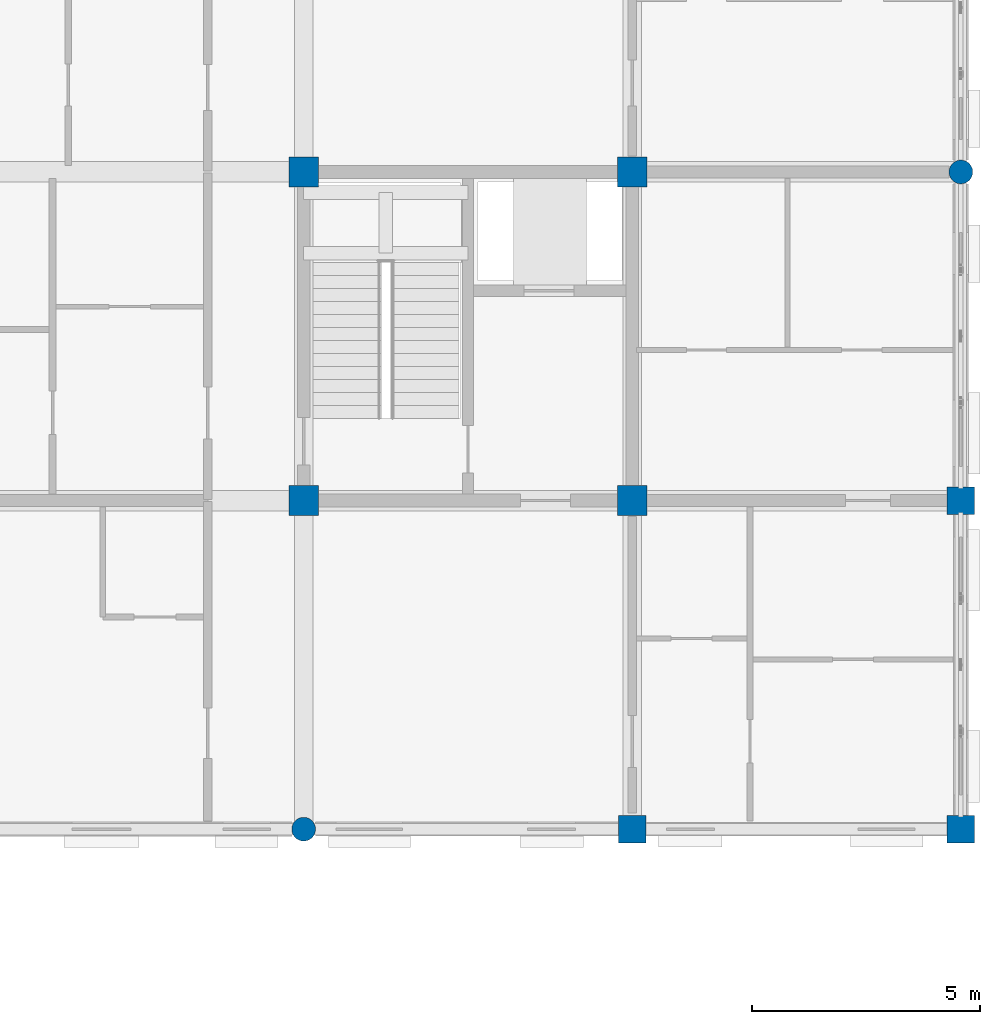
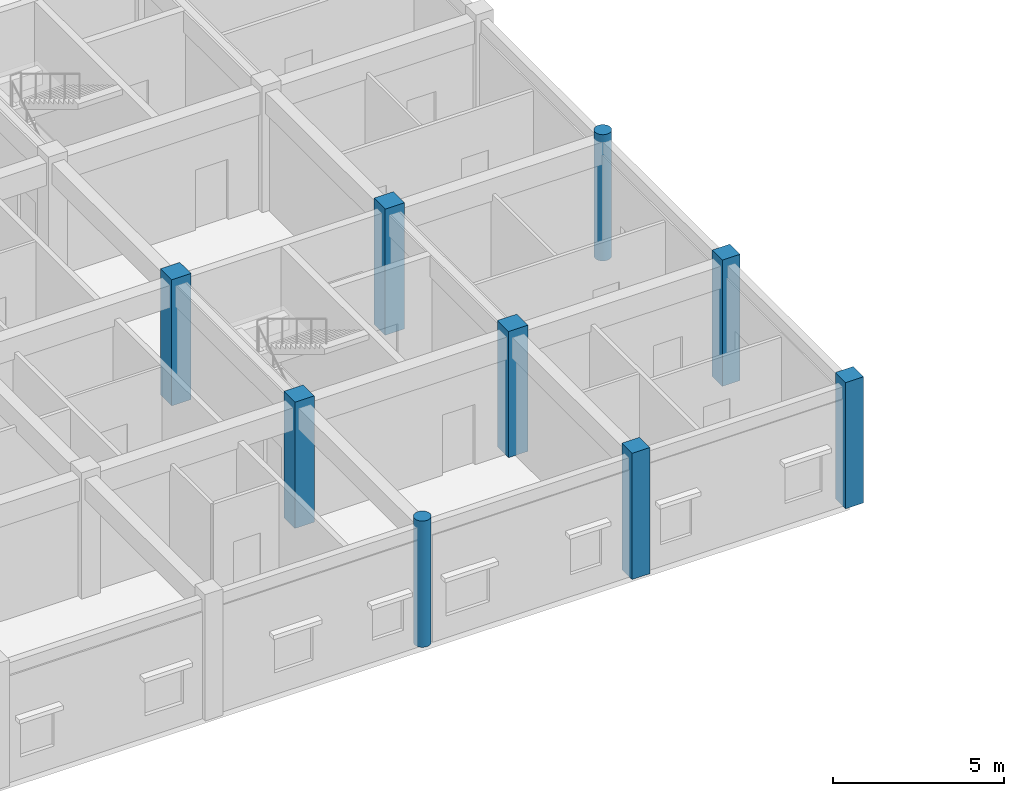
# One storey, part 11 of 138: 9 columns.
"""IFC4 building model written with IfcOpenShell, lengths in metres."""

from ifc_helpers import new_model, si_unit, direction, frame, origin, origin_2d, place, context, subcontext, project, spatial, rectangle, circle, extrude, material, material_profile, profile_set, type_object, element, save


model = new_model("IFC4")

# Units and contexts
model_context = context("Model", 3, precision=1e-05, world=origin(), true_north=direction((0.0, 1.0)))
body_context = subcontext(model_context, "Body", "Model", "MODEL_VIEW")
ifc_project = project(units=[si_unit("LENGTHUNIT", "METRE"), si_unit("AREAUNIT", "SQUARE_METRE"), si_unit("VOLUMEUNIT", "CUBIC_METRE"), si_unit("PLANEANGLEUNIT", "RADIAN"), si_unit("MASSUNIT", "GRAM", prefix="KILO"), si_unit("THERMODYNAMICTEMPERATUREUNIT", "KELVIN"), si_unit("POWERUNIT", "WATT")], contexts=[model_context])

# Site, building, storey
site_placement = place(None, origin())
site = spatial("IfcSite", under=ifc_project, at=site_placement, CompositionType="ELEMENT")
building_placement = place(site_placement, origin())
building = spatial("IfcBuilding", under=site, at=building_placement, Name="Tavuni Mirador Residences", CompositionType="ELEMENT")
storey_placement = place(building_placement, origin())
storey = spatial("IfcBuildingStorey", under=building, at=storey_placement, Name="L00", CompositionType="ELEMENT", Elevation=0.0)

# Columns
ifc_material_1 = material(Name="Precast concrete C40/50", Category="concrete")
ifc_material_profile_1 = material_profile(ifc_material_1, rectangle(XDim=0.60009765625, YDim=0.60009765625, at=origin_2d()), Name="RC 600x600", Category="concrete")
ifc_profile_set_1 = profile_set([ifc_material_profile_1], Name="Precast concrete C40/50")
column_type_1 = type_object("IfcColumnType", Name="CT-RC600", PredefinedType="COLUMN", material=ifc_profile_set_1)
for number, where, z_axis, x_axis, name in (
    (1, (111.60009765625, 86.39990234375, 0.0), (0.0, 0.0, 1.0), (1.0, 0.0, 0.0), "COL-BLK-D-L00-03-00"),
    (2, (118.800048828125, 86.39990234375, 0.0), (0.0, 0.0, 1.0), (1.0, 0.0, 0.0), "COL-BLK-D-L00-04-00"),
    (3, (118.800048828125, 93.60009765625, 0.0), (0.0, 0.0, 1.0), (1.0, 0.0, 0.0), "COL-BLK-D-L00-04-01"),
):
    element("IfcColumn", number, at=place(storey_placement, frame(where, z_axis=z_axis, x_axis=x_axis)), inside=storey, type_object=column_type_1, Name=name, PredefinedType="COLUMN", context=body_context, shape_type="SweptSolid", body=[
        extrude(rectangle(XDim=0.60009765625, YDim=0.60009765625, at=origin_2d()), origin(), (0.0, 0.0, 1.0), 4.5),
    ])
ifc_material_2 = material(Name="In-situ concrete C35/45", Category="concrete")
ifc_material_profile_2 = material_profile(ifc_material_2, rectangle(XDim=0.64990234375, YDim=0.64990234375, at=origin_2d()), Name="RC 650x650", Category="concrete")
ifc_profile_set_2 = profile_set([ifc_material_profile_2], Name="In-situ concrete C35/45")
column_type_2 = type_object("IfcColumnType", Name="CT-RC650", PredefinedType="COLUMN", material=ifc_profile_set_2)
for number, where, z_axis, x_axis, name in (
    (4, (104.39990234375, 93.60009765625, 0.0), (0.0, 0.0, 1.0), (1.0, 0.0, 0.0), "COL-BLK-D-L00-02-01"),
    (5, (104.39990234375, 100.800048828125, 0.0), (0.0, 0.0, 1.0), (1.0, 0.0, 0.0), "COL-BLK-D-L00-02-02"),
    (6, (111.60009765625, 93.60009765625, 0.0), (0.0, 0.0, 1.0), (1.0, 0.0, 0.0), "COL-BLK-D-L00-03-01"),
    (7, (111.60009765625, 100.800048828125, 0.0), (0.0, 0.0, 1.0), (1.0, 0.0, 0.0), "COL-BLK-D-L00-03-02"),
):
    element("IfcColumn", number, at=place(storey_placement, frame(where, z_axis=z_axis, x_axis=x_axis)), inside=storey, type_object=column_type_2, Name=name, PredefinedType="COLUMN", context=body_context, shape_type="SweptSolid", body=[
        extrude(rectangle(XDim=0.64990234375, YDim=0.64990234375, at=origin_2d()), origin(), (0.0, 0.0, 1.0), 4.5),
    ])
ifc_material_profile_3 = material_profile(ifc_material_1, circle(Radius=0.260009765625, at=origin_2d()), Name="RC D520", Category="concrete")
ifc_profile_set_3 = profile_set([ifc_material_profile_3], Name="Precast concrete C40/50")
column_type_3 = type_object("IfcColumnType", Name="CT-RCD520", PredefinedType="COLUMN", material=ifc_profile_set_3)
for number, where, z_axis, x_axis, name in (
    (8, (104.39990234375, 86.39990234375, 0.0), (0.0, 0.0, 1.0), (1.0, 0.0, 0.0), "COL-BLK-D-L00-02-00"),
    (9, (118.800048828125, 100.800048828125, 0.0), (0.0, 0.0, 1.0), (1.0, 0.0, 0.0), "COL-BLK-D-L00-04-02"),
):
    element("IfcColumn", number, at=place(storey_placement, frame(where, z_axis=z_axis, x_axis=x_axis)), inside=storey, type_object=column_type_3, Name=name, PredefinedType="COLUMN", context=body_context, shape_type="SweptSolid", body=[
        extrude(circle(Radius=0.260009765625, at=origin_2d()), origin(), (0.0, 0.0, 1.0), 4.5),
    ])

save(model, "model.ifc")
